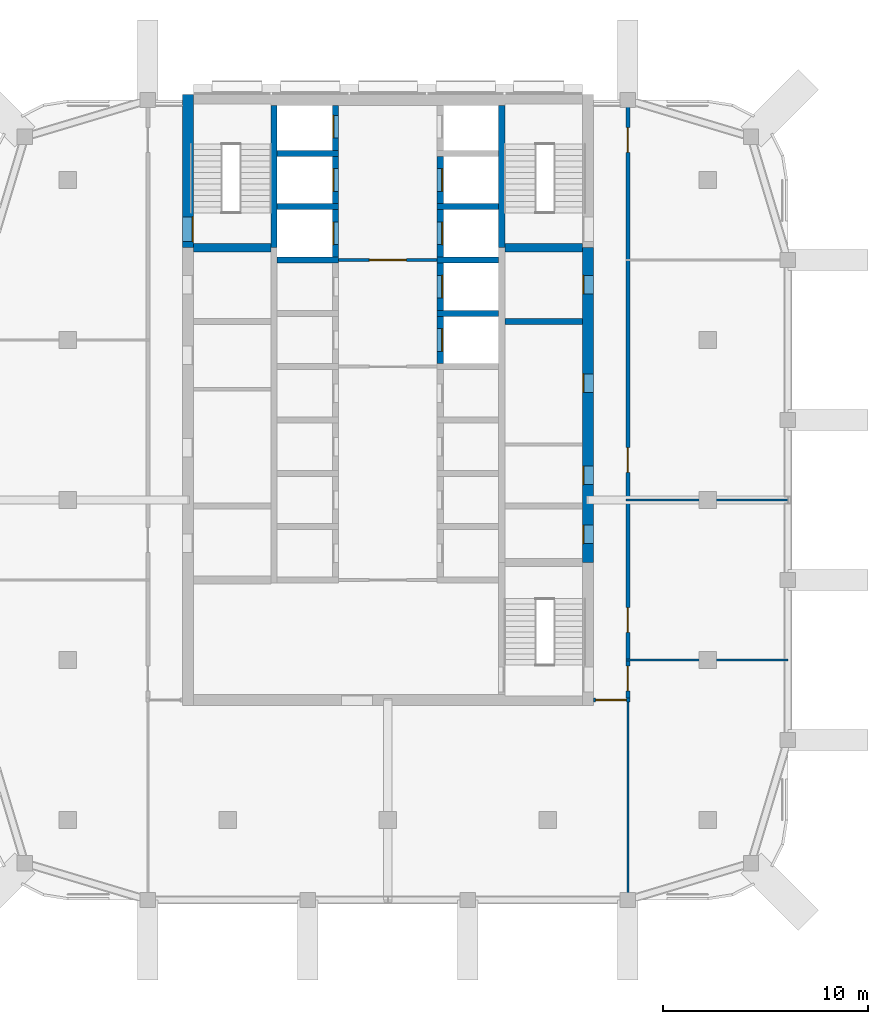
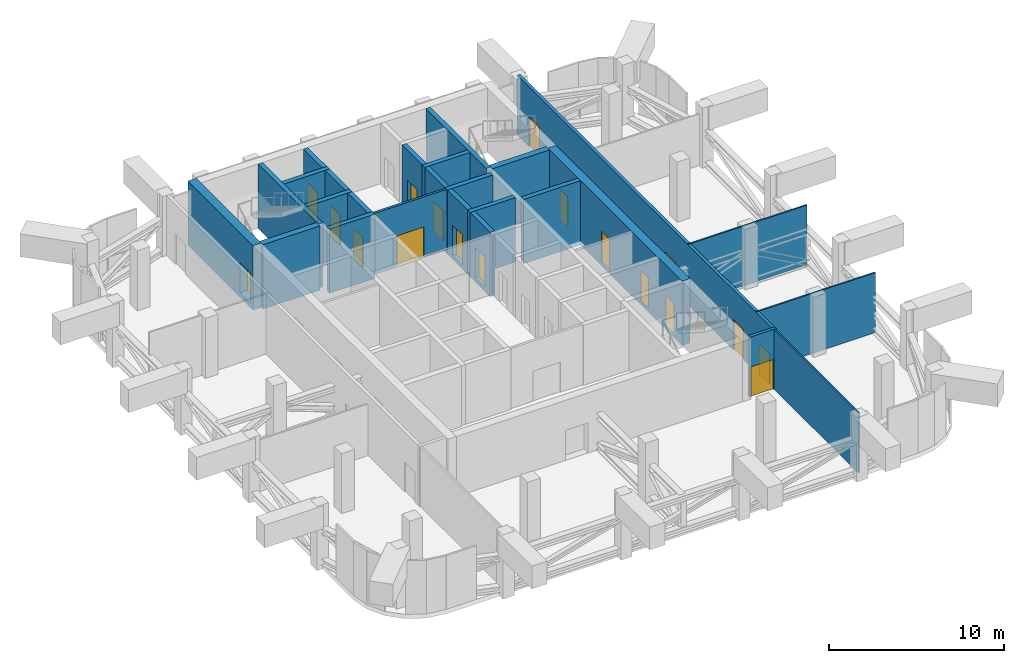
# One storey, part 7 of 13: 26 walls, 18 doors, 18 openings.
"""IFC4 building model written with IfcOpenShell, lengths in metres."""

from ifc_helpers import new_model, si_unit, direction, frame, frame_2d, origin, place, context, subcontext, project, spatial, rectangle, extrude, material, layer, layer_set, type_object, element, fill, save


model = new_model("IFC4")

# Units and contexts
model_context = context("Model", 3, precision=1e-05, world=origin(), true_north=direction((0.0, 1.0)))
body_context = subcontext(model_context, "Body", "Model", "MODEL_VIEW")
ifc_project = project(units=[si_unit("LENGTHUNIT", "METRE"), si_unit("AREAUNIT", "SQUARE_METRE"), si_unit("VOLUMEUNIT", "CUBIC_METRE"), si_unit("PLANEANGLEUNIT", "RADIAN"), si_unit("MASSUNIT", "GRAM", prefix="KILO")], contexts=[model_context])

# Site, building, storey
site_placement = place(None, origin())
site = spatial("IfcSite", under=ifc_project, at=site_placement, CompositionType="ELEMENT")
building_placement = place(site_placement, origin())
building = spatial("IfcBuilding", under=site, at=building_placement, Name="Ludao Terraces", CompositionType="ELEMENT")
storey_placement = place(building_placement, frame((0.0, 0.0, 192.800048828125)))
storey = spatial("IfcBuildingStorey", under=building, at=storey_placement, Name="L52", CompositionType="ELEMENT", Elevation=192.800048828125)

# Wall, opening, door
ifc_material_1 = material(Name="Concrete C60", Category="concrete")
ifc_layer_1 = layer(ifc_material_1, 0.550048828125)
ifc_layer_set_1 = layer_set([ifc_layer_1], Name="Core wall 550 C60")
wall_type_1 = type_object("IfcWallType", Name="Core wall 550 C60", PredefinedType="SOLIDWALL", material=ifc_layer_set_1)
wall_1_placement = place(storey_placement, frame((75.25, 77.300048828125, -0.300048828125), z_axis=(0.0, 0.0, 1.0), x_axis=(0.0, 1.0, 0.0)))
wall_1 = element("IfcWall", 1, at=wall_1_placement, inside=storey, type_object=wall_type_1, Name="Core wall L52 outer-W-S1", PredefinedType="SOLIDWALL", context=body_context, shape_type="SweptSolid", body=[
    extrude(rectangle(XDim=7.474853515625, YDim=0.550048828125, at=frame_2d((3.7373046875, 0.0))), origin(), (0.0, 0.0, 1.0), 4.5),
])
opening_1_placement = place(wall_1_placement, frame((0.300048828125, 0.0, 0.300048828125)))
opening_1 = element("IfcOpeningElement", 2, at=opening_1_placement, cuts=wall_1, Name="Opening L52-036", PredefinedType="OPENING", context=body_context, shape_type="SweptSolid", body=[
    extrude(rectangle(XDim=1.199951171875, YDim=2.10009765625, at=frame_2d((0.60009765625, 1.050048828125))), frame((0.0, 0.28515625, 0.0), z_axis=(0.0, -1.0, 0.0), x_axis=(1.0, 0.0, 0.0)), (0.0, 0.0, 1.0), 0.570068359375),
])
ifc_material_2 = material(Name="Steel Q235", Category="steel")
door_type_1 = type_object("IfcDoorType", Name="INT Stair door 1200", OperationType="DOUBLE_DOOR_SINGLE_SWING", PredefinedType="DOOR", material=ifc_material_2)
door_1_placement = place(opening_1_placement, origin())
door_1 = element("IfcDoor", 3, at=door_1_placement, inside=storey, type_object=door_type_1, Name="DOOR 036", OperationType="DOUBLE_DOOR_SINGLE_SWING", OverallHeight=2.10009765625, OverallWidth=1.199951171875, PredefinedType="DOOR", context=body_context, shape_type="SweptSolid", body=[
    extrude(rectangle(XDim=1.199951171875, YDim=2.10009765625, at=frame_2d((0.60009765625, 1.050048828125))), frame((0.0, -0.2099609375, 0.0), z_axis=(0.0, -1.0, 0.0), x_axis=(1.0, 0.0, 0.0)), (0.0, 0.0, 1.0), 0.050048828125),
])
fill(opening_1, door_1)

# Wall, openings, doors
wall_2_placement = place(storey_placement, frame((94.75, 61.949951171875, -0.300048828125), z_axis=(0.0, 0.0, 1.0), x_axis=(0.0, 1.0, 0.0)))
wall_2 = element("IfcWall", 4, at=wall_2_placement, inside=storey, type_object=wall_type_1, Name="Core wall L52 outer-E", PredefinedType="SOLIDWALL", context=body_context, shape_type="SweptSolid", body=[
    extrude(rectangle(XDim=15.35009765625, YDim=0.550048828125, at=frame_2d((7.675048828125, 0.0))), origin(), (0.0, 0.0, 1.0), 4.5),
])
opening_2_placement = place(wall_2_placement, frame((0.925048828125, 0.0, 0.300048828125)))
opening_2 = element("IfcOpeningElement", 5, at=opening_2_placement, cuts=wall_2, Name="Opening L52-014", PredefinedType="OPENING", context=body_context, shape_type="SweptSolid", body=[
    extrude(rectangle(XDim=0.89990234375, YDim=2.10009765625, at=frame_2d((0.449951171875, 1.050048828125))), frame((0.0, 0.28515625, 0.0), z_axis=(0.0, -1.0, 0.0), x_axis=(1.0, 0.0, 0.0)), (0.0, 0.0, 1.0), 0.570068359375),
])
opening_3_placement = place(wall_2_placement, frame((3.800048828125, 0.0, 0.300048828125)))
opening_3 = element("IfcOpeningElement", 6, at=opening_3_placement, cuts=wall_2, Name="Opening L52-017", PredefinedType="OPENING", context=body_context, shape_type="SweptSolid", body=[
    extrude(rectangle(XDim=0.89990234375, YDim=2.10009765625, at=frame_2d((0.449951171875, 1.050048828125))), frame((0.0, 0.28515625, 0.0), z_axis=(0.0, -1.0, 0.0), x_axis=(1.0, 0.0, 0.0)), (0.0, 0.0, 1.0), 0.570068359375),
])
opening_4_placement = place(wall_2_placement, frame((8.300048828125, 0.0, 0.300048828125)))
opening_4 = element("IfcOpeningElement", 7, at=opening_4_placement, cuts=wall_2, Name="Opening L52-024", PredefinedType="OPENING", context=body_context, shape_type="SweptSolid", body=[
    extrude(rectangle(XDim=0.89990234375, YDim=2.10009765625, at=frame_2d((0.449951171875, 1.050048828125))), frame((0.0, 0.28515625, 0.0), z_axis=(0.0, -1.0, 0.0), x_axis=(1.0, 0.0, 0.0)), (0.0, 0.0, 1.0), 0.570068359375),
])
opening_5_placement = place(wall_2_placement, frame((13.10009765625, 0.0, 0.300048828125)))
opening_5 = element("IfcOpeningElement", 8, at=opening_5_placement, cuts=wall_2, Name="Opening L52-032", PredefinedType="OPENING", context=body_context, shape_type="SweptSolid", body=[
    extrude(rectangle(XDim=0.89990234375, YDim=2.10009765625, at=frame_2d((0.449951171875, 1.050048828125))), frame((0.0, 0.28515625, 0.0), z_axis=(0.0, -1.0, 0.0), x_axis=(1.0, 0.0, 0.0)), (0.0, 0.0, 1.0), 0.570068359375),
])
door_type_2 = type_object("IfcDoorType", Name="INT Riser door 900", OperationType="SINGLE_SWING_LEFT", PredefinedType="DOOR", material=ifc_material_2)
door_2_placement = place(opening_2_placement, origin())
door_2 = element("IfcDoor", 9, at=door_2_placement, inside=storey, type_object=door_type_2, Name="DOOR 014", OperationType="SINGLE_SWING_LEFT", OverallHeight=2.10009765625, OverallWidth=0.89990234375, PredefinedType="DOOR", context=body_context, shape_type="SweptSolid", body=[
    extrude(rectangle(XDim=0.89990234375, YDim=2.10009765625, at=frame_2d((0.449951171875, 1.050048828125))), frame((0.0, 0.26025390625, 0.0), z_axis=(0.0, -1.0, 0.0), x_axis=(1.0, 0.0, 0.0)), (0.0, 0.0, 1.0), 0.050048828125),
])
fill(opening_2, door_2)
door_3_placement = place(opening_5_placement, origin())
door_3 = element("IfcDoor", 10, at=door_3_placement, inside=storey, type_object=door_type_2, Name="DOOR 032", OperationType="SINGLE_SWING_LEFT", OverallHeight=2.10009765625, OverallWidth=0.89990234375, PredefinedType="DOOR", context=body_context, shape_type="SweptSolid", body=[
    extrude(rectangle(XDim=0.89990234375, YDim=2.10009765625, at=frame_2d((0.449951171875, 1.050048828125))), frame((0.0, 0.26025390625, 0.0), z_axis=(0.0, -1.0, 0.0), x_axis=(1.0, 0.0, 0.0)), (0.0, 0.0, 1.0), 0.050048828125),
])
fill(opening_5, door_3)
ifc_material_3 = material(Name="Timber door leaf", Category="wood")
door_type_3 = type_object("IfcDoorType", Name="INT Room door 900", OperationType="SINGLE_SWING_LEFT", PredefinedType="DOOR", material=ifc_material_3)
door_4_placement = place(opening_3_placement, origin())
door_4 = element("IfcDoor", 11, at=door_4_placement, inside=storey, type_object=door_type_3, Name="DOOR 017", OperationType="SINGLE_SWING_LEFT", OverallHeight=2.10009765625, OverallWidth=0.89990234375, PredefinedType="DOOR", context=body_context, shape_type="SweptSolid", body=[
    extrude(rectangle(XDim=0.89990234375, YDim=2.10009765625, at=frame_2d((0.449951171875, 1.050048828125))), frame((0.0, 0.26025390625, 0.0), z_axis=(0.0, -1.0, 0.0), x_axis=(1.0, 0.0, 0.0)), (0.0, 0.0, 1.0), 0.050048828125),
])
fill(opening_3, door_4)
door_5_placement = place(opening_4_placement, origin())
door_5 = element("IfcDoor", 12, at=door_5_placement, inside=storey, type_object=door_type_3, Name="DOOR 024", OperationType="SINGLE_SWING_RIGHT", OverallHeight=2.10009765625, OverallWidth=0.89990234375, PredefinedType="DOOR", context=body_context, shape_type="SweptSolid", body=[
    extrude(rectangle(XDim=0.89990234375, YDim=2.10009765625, at=frame_2d((0.449951171875, 1.050048828125))), frame((0.0, 0.26025390625, 0.0), z_axis=(0.0, -1.0, 0.0), x_axis=(1.0, 0.0, 0.0)), (0.0, 0.0, 1.0), 0.050048828125),
])
fill(opening_4, door_5)

# Wall, opening, door
ifc_material_4 = material(Name="Fire-rated gypsum plasterboard", Category="gypsum")
ifc_layer_2 = layer(ifc_material_4, 0.012451171875, Category="gypsum")
ifc_material_5 = material(Name="Mineral wool")
ifc_layer_3 = layer(ifc_material_5, 0.10009765625, Name="insulation")
ifc_layer_4 = layer(ifc_material_2, 0.02490234375, Name="stud")
ifc_layer_5 = layer(ifc_material_4, 0.012451171875, Category="gypsum")
ifc_layer_set_2 = layer_set([ifc_layer_2, ifc_layer_3, ifc_layer_4, ifc_layer_5], Name="INT Core partition 150")
wall_type_2 = type_object("IfcWallType", Name="INT Core partition 150", PredefinedType="PARTITIONING", material=ifc_layer_set_2)
wall_3_placement = place(storey_placement, frame((82.60009765625, 76.699951171875, 0.0), z_axis=(0.0, 0.0, 1.0), x_axis=(1.0, 0.0, 0.0)))
wall_3 = element("IfcWall", 13, at=wall_3_placement, inside=storey, type_object=wall_type_2, Name="PW-L52-PW010", PredefinedType="PARTITIONING", context=body_context, shape_type="SweptSolid", body=[
    extrude(rectangle(XDim=4.800048828125, YDim=0.14990234375, at=frame_2d((2.39990234375, 0.0))), origin(), (0.0, 0.0, 1.0), 4.199951171875),
])
opening_6_placement = place(wall_3_placement, frame((1.5, 0.0, 0.0)))
opening_6 = element("IfcOpeningElement", 14, at=opening_6_placement, cuts=wall_3, Name="Opening L52-033", PredefinedType="OPENING", context=body_context, shape_type="SweptSolid", body=[
    extrude(rectangle(XDim=1.800048828125, YDim=2.10009765625, at=frame_2d((0.89990234375, 1.050048828125))), frame((0.0, 0.0849609375, 0.0), z_axis=(0.0, -1.0, 0.0), x_axis=(1.0, 0.0, 0.0)), (0.0, 0.0, 1.0), 0.169921875),
])
door_type_4 = type_object("IfcDoorType", Name="INT Fire lobby door 1800", OperationType="DOUBLE_DOOR_SINGLE_SWING", PredefinedType="DOOR", material=ifc_material_2)
door_6_placement = place(opening_6_placement, origin())
door_6 = element("IfcDoor", 15, at=door_6_placement, inside=storey, type_object=door_type_4, Name="DOOR 033", OperationType="DOUBLE_DOOR_SINGLE_SWING", OverallHeight=2.10009765625, OverallWidth=1.800048828125, PredefinedType="DOOR", context=body_context, shape_type="SweptSolid", body=[
    extrude(rectangle(XDim=1.800048828125, YDim=2.10009765625, at=frame_2d((0.89990234375, 1.050048828125))), frame((0.0, 0.02490234375, 0.0), z_axis=(0.0, -1.0, 0.0), x_axis=(1.0, 0.0, 0.0)), (0.0, 0.0, 1.0), 0.050048828125),
])
fill(opening_6, door_6)

ifc_material_6 = material(Name="Autoclaved aerated concrete block B06 A3.5", Category="concrete")
ifc_layer_6 = layer(ifc_material_6, 0.199951171875)
ifc_layer_set_3 = layer_set([ifc_layer_6], Name="INT Entrance wall 200")
wall_type_3 = type_object("IfcWallType", Name="INT Entrance wall 200", PredefinedType="PARTITIONING", material=ifc_layer_set_3)
wall_4_placement = place(storey_placement, frame((95.025146484375, 55.25, 0.0), z_axis=(0.0, 0.0, 1.0), x_axis=(1.0, 0.0, 0.0)))
wall_4 = element("IfcWall", 16, at=wall_4_placement, inside=storey, type_object=wall_type_3, Name="PW-L52-PW001", PredefinedType="PARTITIONING", context=body_context, shape_type="SweptSolid", body=[
    extrude(rectangle(XDim=1.77490234375, YDim=0.199951171875, at=frame_2d((0.887451171875, 0.0))), origin(), (0.0, 0.0, 1.0), 4.199951171875),
])
opening_7_placement = place(wall_4_placement, frame((0.10009765625, 0.0, 0.0)))
opening_7 = element("IfcOpeningElement", 17, at=opening_7_placement, cuts=wall_4, Name="Opening L52-003", PredefinedType="OPENING", context=body_context, shape_type="SweptSolid", body=[
    extrude(rectangle(XDim=1.5, YDim=2.10009765625, at=frame_2d((0.75, 1.050048828125))), frame((0.0, 0.10986328125, 0.0), z_axis=(0.0, -1.0, 0.0), x_axis=(1.0, 0.0, 0.0)), (0.0, 0.0, 1.0), 0.219970703125),
])
door_type_5 = type_object("IfcDoorType", Name="INT Lobby door 1500", OperationType="DOUBLE_DOOR_SINGLE_SWING", PredefinedType="DOOR", material=ifc_material_2)
door_7_placement = place(opening_7_placement, origin())
door_7 = element("IfcDoor", 18, at=door_7_placement, inside=storey, type_object=door_type_5, Name="DOOR 003", OperationType="DOUBLE_DOOR_SINGLE_SWING", OverallHeight=2.10009765625, OverallWidth=1.5, PredefinedType="DOOR", context=body_context, shape_type="SweptSolid", body=[
    extrude(rectangle(XDim=1.5, YDim=2.10009765625, at=frame_2d((0.75, 1.050048828125))), frame((0.0, 0.02490234375, 0.0), z_axis=(0.0, -1.0, 0.0), x_axis=(1.0, 0.0, 0.0)), (0.0, 0.0, 1.0), 0.050048828125),
])
fill(opening_7, door_7)

# Wall, openings, doors
wall_5_placement = place(storey_placement, frame((96.699951171875, 55.35009765625, 0.0), z_axis=(0.0, 0.0, 1.0), x_axis=(0.0, 1.0, 0.0)))
wall_5 = element("IfcWall", 19, at=wall_5_placement, inside=storey, type_object=wall_type_3, Name="PW-L52-PW015", PredefinedType="PARTITIONING", context=body_context, shape_type="SweptSolid", body=[
    extrude(rectangle(XDim=29.14990234375, YDim=0.199951171875, at=frame_2d((14.574951171875, 0.0))), origin(), (0.0, 0.0, 1.0), 4.199951171875),
])
opening_8_placement = place(wall_5_placement, frame((0.35009765625, 0.0, 0.0)))
opening_8 = element("IfcOpeningElement", 20, at=opening_8_placement, cuts=wall_5, Name="Opening L52-007", PredefinedType="OPENING", context=body_context, shape_type="SweptSolid", body=[
    extrude(rectangle(XDim=1.199951171875, YDim=2.10009765625, at=frame_2d((0.60009765625, 1.050048828125))), frame((0.0, 0.10986328125, 0.0), z_axis=(0.0, -1.0, 0.0), x_axis=(1.0, 0.0, 0.0)), (0.0, 0.0, 1.0), 0.219970703125),
])
opening_9_placement = place(wall_5_placement, frame((3.199951171875, 0.0, 0.0)))
opening_9 = element("IfcOpeningElement", 21, at=opening_9_placement, cuts=wall_5, Name="Opening L52-008", PredefinedType="OPENING", context=body_context, shape_type="SweptSolid", body=[
    extrude(rectangle(XDim=1.199951171875, YDim=2.10009765625, at=frame_2d((0.60009765625, 1.050048828125))), frame((0.0, 0.10986328125, 0.0), z_axis=(0.0, -1.0, 0.0), x_axis=(1.0, 0.0, 0.0)), (0.0, 0.0, 1.0), 0.219970703125),
])
opening_10_placement = place(wall_5_placement, frame((11.0, 0.0, 0.0)))
opening_10 = element("IfcOpeningElement", 22, at=opening_10_placement, cuts=wall_5, Name="Opening L52-018", PredefinedType="OPENING", context=body_context, shape_type="SweptSolid", body=[
    extrude(rectangle(XDim=1.199951171875, YDim=2.10009765625, at=frame_2d((0.60009765625, 1.050048828125))), frame((0.0, 0.10986328125, 0.0), z_axis=(0.0, -1.0, 0.0), x_axis=(1.0, 0.0, 0.0)), (0.0, 0.0, 1.0), 0.219970703125),
])
opening_11_placement = place(wall_5_placement, frame((26.60009765625, 0.0, 0.0)))
opening_11 = element("IfcOpeningElement", 23, at=opening_11_placement, cuts=wall_5, Name="Opening L52-041", PredefinedType="OPENING", context=body_context, shape_type="SweptSolid", body=[
    extrude(rectangle(XDim=1.199951171875, YDim=2.10009765625, at=frame_2d((0.60009765625, 1.050048828125))), frame((0.0, 0.10986328125, 0.0), z_axis=(0.0, -1.0, 0.0), x_axis=(1.0, 0.0, 0.0)), (0.0, 0.0, 1.0), 0.219970703125),
])
door_type_6 = type_object("IfcDoorType", Name="INT Double door 1200", OperationType="DOUBLE_DOOR_SINGLE_SWING", PredefinedType="DOOR", material=ifc_material_3)
door_8_placement = place(opening_8_placement, origin())
door_8 = element("IfcDoor", 24, at=door_8_placement, inside=storey, type_object=door_type_6, Name="DOOR 007", OperationType="DOUBLE_DOOR_SINGLE_SWING", OverallHeight=2.10009765625, OverallWidth=1.199951171875, PredefinedType="DOOR", context=body_context, shape_type="SweptSolid", body=[
    extrude(rectangle(XDim=1.199951171875, YDim=2.10009765625, at=frame_2d((0.60009765625, 1.050048828125))), frame((0.0, 0.02490234375, 0.0), z_axis=(0.0, -1.0, 0.0), x_axis=(1.0, 0.0, 0.0)), (0.0, 0.0, 1.0), 0.050048828125),
])
fill(opening_8, door_8)
door_9_placement = place(opening_9_placement, origin())
door_9 = element("IfcDoor", 25, at=door_9_placement, inside=storey, type_object=door_type_6, Name="DOOR 008", OperationType="DOUBLE_DOOR_SINGLE_SWING", OverallHeight=2.10009765625, OverallWidth=1.199951171875, PredefinedType="DOOR", context=body_context, shape_type="SweptSolid", body=[
    extrude(rectangle(XDim=1.199951171875, YDim=2.10009765625, at=frame_2d((0.60009765625, 1.050048828125))), frame((0.0, 0.02490234375, 0.0), z_axis=(0.0, -1.0, 0.0), x_axis=(1.0, 0.0, 0.0)), (0.0, 0.0, 1.0), 0.050048828125),
])
fill(opening_9, door_9)
door_10_placement = place(opening_10_placement, origin())
door_10 = element("IfcDoor", 26, at=door_10_placement, inside=storey, type_object=door_type_6, Name="DOOR 018", OperationType="DOUBLE_DOOR_SINGLE_SWING", OverallHeight=2.10009765625, OverallWidth=1.199951171875, PredefinedType="DOOR", context=body_context, shape_type="SweptSolid", body=[
    extrude(rectangle(XDim=1.199951171875, YDim=2.10009765625, at=frame_2d((0.60009765625, 1.050048828125))), frame((0.0, 0.02490234375, 0.0), z_axis=(0.0, -1.0, 0.0), x_axis=(1.0, 0.0, 0.0)), (0.0, 0.0, 1.0), 0.050048828125),
])
fill(opening_10, door_10)
door_11_placement = place(opening_11_placement, origin())
door_11 = element("IfcDoor", 27, at=door_11_placement, inside=storey, type_object=door_type_6, Name="DOOR 041", OperationType="DOUBLE_DOOR_SINGLE_SWING", OverallHeight=2.10009765625, OverallWidth=1.199951171875, PredefinedType="DOOR", context=body_context, shape_type="SweptSolid", body=[
    extrude(rectangle(XDim=1.199951171875, YDim=2.10009765625, at=frame_2d((0.60009765625, 1.050048828125))), frame((0.0, 0.02490234375, 0.0), z_axis=(0.0, -1.0, 0.0), x_axis=(1.0, 0.0, 0.0)), (0.0, 0.0, 1.0), 0.050048828125),
])
fill(opening_11, door_11)

# Walls
ifc_material_7 = material(Name="Gypsum plasterboard", Category="gypsum")
ifc_layer_7 = layer(ifc_material_7, 0.012451171875, Category="gypsum")
ifc_layer_8 = layer(ifc_material_5, 0.06005859375, Name="insulation")
ifc_layer_9 = layer(ifc_material_2, 0.014892578125, Name="stud")
ifc_layer_10 = layer(ifc_material_7, 0.012451171875, Category="gypsum")
ifc_layer_set_4 = layer_set([ifc_layer_7, ifc_layer_8, ifc_layer_9, ifc_layer_10], Name="INT Partition 100")
wall_type_4 = type_object("IfcWallType", Name="INT Partition 100", PredefinedType="PARTITIONING", material=ifc_layer_set_4)
for number, where, z_axis, x_axis, name in (
    (28, (96.60009765625, 57.199951171875, 0.0), (0.0, 0.0, 1.0), (1.0, 0.0, 0.0), "PW-L52-PW002"),
    (29, (96.60009765625, 65.0, 0.0), (0.0, 0.0, 1.0), (1.0, 0.0, 0.0), "PW-L52-PW005"),
):
    element("IfcWall", number, at=place(storey_placement, frame(where, z_axis=z_axis, x_axis=x_axis)), inside=storey, type_object=wall_type_4, Name=name, PredefinedType="PARTITIONING", context=body_context, shape_type="SweptSolid", body=[
        extrude(rectangle(XDim=7.89990234375, YDim=0.10009765625, at=frame_2d((3.949951171875, 0.0))), origin(), (0.0, 0.0, 1.0), 4.199951171875),
    ])
wall_6_placement = place(storey_placement, frame((96.699951171875, 45.5, 0.0), z_axis=(0.0, 0.0, 1.0), x_axis=(0.0, 1.0, 0.0)))
element("IfcWall", 30, at=wall_6_placement, inside=storey, type_object=wall_type_4, Name="PW-L52-PW014", PredefinedType="PARTITIONING", context=body_context, shape_type="SweptSolid", body=[
    extrude(rectangle(XDim=9.650146484375, YDim=0.10009765625, at=frame_2d((4.8251953125, 0.0))), origin(), (0.0, 0.0, 1.0), 4.199951171875),
])
ifc_material_8 = material(Name="Concrete C55", Category="concrete")
ifc_layer_11 = layer(ifc_material_8, 0.300048828125)
ifc_layer_set_5 = layer_set([ifc_layer_11], Name="Shaft wall 300 C55")
wall_type_5 = type_object("IfcWallType", Name="Shaft wall 300 C55", PredefinedType="SOLIDWALL", material=ifc_layer_set_5)
for number, where, z_axis, x_axis, name in (
    (31, (79.449951171875, 77.300048828125, -0.300048828125), (0.0, 0.0, 1.0), (0.0, 1.0, 0.0), "Core wall L52 back-W-S1"),
    (32, (90.550048828125, 77.300048828125, -0.300048828125), (0.0, 0.0, 1.0), (0.0, 1.0, 0.0), "Core wall L52 back-E-S2"),
):
    element("IfcWall", number, at=place(storey_placement, frame(where, z_axis=z_axis, x_axis=x_axis)), inside=storey, type_object=wall_type_5, Name=name, PredefinedType="SOLIDWALL", context=body_context, shape_type="SweptSolid", body=[
        extrude(rectangle(XDim=6.925048828125, YDim=0.300048828125, at=frame_2d((3.46240234375, 0.0))), origin(), (0.0, 0.0, 1.0), 4.5),
    ])
wall_7_placement = place(storey_placement, frame((79.60009765625, 76.699951171875, -0.300048828125), z_axis=(0.0, 0.0, 1.0), x_axis=(1.0, 0.0, 0.0)))
element("IfcWall", 33, at=wall_7_placement, inside=storey, type_object=wall_type_5, Name="Core wall L52 div-W7", PredefinedType="SOLIDWALL", context=body_context, shape_type="SweptSolid", body=[
    extrude(rectangle(XDim=3.0, YDim=0.300048828125, at=frame_2d((1.5, 0.0))), origin(), (0.0, 0.0, 1.0), 4.5),
])

# Wall, opening, door
wall_8_placement = place(storey_placement, frame((82.449951171875, 76.85009765625, -0.300048828125), z_axis=(0.0, 0.0, 1.0), x_axis=(0.0, 1.0, 0.0)))
wall_8 = element("IfcWall", 34, at=wall_8_placement, inside=storey, type_object=wall_type_5, Name="Core wall L52 front-W7", PredefinedType="SOLIDWALL", context=body_context, shape_type="SweptSolid", body=[
    extrude(rectangle(XDim=2.2998046875, YDim=0.300048828125, at=frame_2d((1.14990234375, 0.0))), origin(), (0.0, 0.0, 1.0), 4.5),
])
opening_12_placement = place(wall_8_placement, frame((0.60009765625, 0.0, 0.300048828125)))
opening_12 = element("IfcOpeningElement", 35, at=opening_12_placement, cuts=wall_8, Name="Opening LD-FF1", PredefinedType="OPENING", context=body_context, shape_type="SweptSolid", body=[
    extrude(rectangle(XDim=1.10009765625, YDim=2.10009765625, at=frame_2d((0.550048828125, 1.050048828125))), frame((0.0, 0.16015625, 0.0), z_axis=(0.0, -1.0, 0.0), x_axis=(1.0, 0.0, 0.0)), (0.0, 0.0, 1.0), 0.320068359375),
])
ifc_material_9 = material(Name="Stainless steel 304", Category="steel")
door_type_7 = type_object("IfcDoorType", Name="INT Lift landing door 1100", OperationType="SLIDING_TO_LEFT", PredefinedType="DOOR", material=ifc_material_9)
door_12_placement = place(opening_12_placement, origin())
door_12 = element("IfcDoor", 36, at=door_12_placement, inside=storey, type_object=door_type_7, Name="LANDING DOOR FF1 L52", OperationType="SLIDING_TO_LEFT", OverallHeight=2.10009765625, OverallWidth=1.10009765625, PredefinedType="DOOR", context=body_context, shape_type="SweptSolid", body=[
    extrude(rectangle(XDim=1.10009765625, YDim=2.10009765625, at=frame_2d((0.550048828125, 1.050048828125))), frame((0.0, 0.13525390625, 0.0), z_axis=(0.0, -1.0, 0.0), x_axis=(1.0, 0.0, 0.0)), (0.0, 0.0, 1.0), 0.050048828125),
])
fill(opening_12, door_12)

# Wall
wall_9_placement = place(storey_placement, frame((79.60009765625, 79.300048828125, -0.300048828125), z_axis=(0.0, 0.0, 1.0), x_axis=(1.0, 0.0, 0.0)))
element("IfcWall", 37, at=wall_9_placement, inside=storey, type_object=wall_type_5, Name="Core wall L52 div-W8", PredefinedType="SOLIDWALL", context=body_context, shape_type="SweptSolid", body=[
    extrude(rectangle(XDim=3.0, YDim=0.300048828125, at=frame_2d((1.5, 0.0))), origin(), (0.0, 0.0, 1.0), 4.5),
])

# Wall, opening, door
wall_10_placement = place(storey_placement, frame((82.449951171875, 79.449951171875, -0.300048828125), z_axis=(0.0, 0.0, 1.0), x_axis=(0.0, 1.0, 0.0)))
wall_10 = element("IfcWall", 38, at=wall_10_placement, inside=storey, type_object=wall_type_5, Name="Core wall L52 front-W8", PredefinedType="SOLIDWALL", context=body_context, shape_type="SweptSolid", body=[
    extrude(rectangle(XDim=2.300048828125, YDim=0.300048828125, at=frame_2d((1.14990234375, 0.0))), origin(), (0.0, 0.0, 1.0), 4.5),
])
opening_13_placement = place(wall_10_placement, frame((0.60009765625, 0.0, 0.300048828125)))
opening_13 = element("IfcOpeningElement", 39, at=opening_13_placement, cuts=wall_10, Name="Opening LD-FF2", PredefinedType="OPENING", context=body_context, shape_type="SweptSolid", body=[
    extrude(rectangle(XDim=1.10009765625, YDim=2.10009765625, at=frame_2d((0.550048828125, 1.050048828125))), frame((0.0, 0.16015625, 0.0), z_axis=(0.0, -1.0, 0.0), x_axis=(1.0, 0.0, 0.0)), (0.0, 0.0, 1.0), 0.320068359375),
])
door_13_placement = place(opening_13_placement, origin())
door_13 = element("IfcDoor", 40, at=door_13_placement, inside=storey, type_object=door_type_7, Name="LANDING DOOR FF2 L52", OperationType="SLIDING_TO_LEFT", OverallHeight=2.10009765625, OverallWidth=1.10009765625, PredefinedType="DOOR", context=body_context, shape_type="SweptSolid", body=[
    extrude(rectangle(XDim=1.10009765625, YDim=2.10009765625, at=frame_2d((0.550048828125, 1.050048828125))), frame((0.0, 0.13525390625, 0.0), z_axis=(0.0, -1.0, 0.0), x_axis=(1.0, 0.0, 0.0)), (0.0, 0.0, 1.0), 0.050048828125),
])
fill(opening_13, door_13)

# Wall
wall_11_placement = place(storey_placement, frame((79.60009765625, 81.89990234375, -0.300048828125), z_axis=(0.0, 0.0, 1.0), x_axis=(1.0, 0.0, 0.0)))
element("IfcWall", 41, at=wall_11_placement, inside=storey, type_object=wall_type_5, Name="Core wall L52 div-W9", PredefinedType="SOLIDWALL", context=body_context, shape_type="SweptSolid", body=[
    extrude(rectangle(XDim=3.0, YDim=0.300048828125, at=frame_2d((1.5, 0.0))), origin(), (0.0, 0.0, 1.0), 4.5),
])

# Wall, opening, door
wall_12_placement = place(storey_placement, frame((82.449951171875, 82.050048828125, -0.300048828125), z_axis=(0.0, 0.0, 1.0), x_axis=(0.0, 1.0, 0.0)))
wall_12 = element("IfcWall", 42, at=wall_12_placement, inside=storey, type_object=wall_type_5, Name="Core wall L52 front-W9", PredefinedType="SOLIDWALL", context=body_context, shape_type="SweptSolid", body=[
    extrude(rectangle(XDim=2.175048828125, YDim=0.300048828125, at=frame_2d((1.08740234375, 0.0))), origin(), (0.0, 0.0, 1.0), 4.5),
])
opening_14_placement = place(wall_12_placement, frame((0.60009765625, 0.0, 0.300048828125)))
opening_14 = element("IfcOpeningElement", 43, at=opening_14_placement, cuts=wall_12, Name="Opening LD-LB6", PredefinedType="OPENING", context=body_context, shape_type="SweptSolid", body=[
    extrude(rectangle(XDim=1.10009765625, YDim=2.10009765625, at=frame_2d((0.550048828125, 1.050048828125))), frame((0.0, 0.16015625, 0.0), z_axis=(0.0, -1.0, 0.0), x_axis=(1.0, 0.0, 0.0)), (0.0, 0.0, 1.0), 0.320068359375),
])
door_14_placement = place(opening_14_placement, origin())
door_14 = element("IfcDoor", 44, at=door_14_placement, inside=storey, type_object=door_type_7, Name="LANDING DOOR LB6 L52", OperationType="SLIDING_TO_RIGHT", OverallHeight=2.10009765625, OverallWidth=1.10009765625, PredefinedType="DOOR", context=body_context, shape_type="SweptSolid", body=[
    extrude(rectangle(XDim=1.10009765625, YDim=2.10009765625, at=frame_2d((0.550048828125, 1.050048828125))), frame((0.0, 0.13525390625, 0.0), z_axis=(0.0, -1.0, 0.0), x_axis=(1.0, 0.0, 0.0)), (0.0, 0.0, 1.0), 0.050048828125),
])
fill(opening_14, door_14)

wall_13_placement = place(storey_placement, frame((87.550048828125, 71.64990234375, -0.300048828125), z_axis=(0.0, 0.0, 1.0), x_axis=(0.0, 1.0, 0.0)))
wall_13 = element("IfcWall", 45, at=wall_13_placement, inside=storey, type_object=wall_type_5, Name="Core wall L52 front-E5", PredefinedType="SOLIDWALL", context=body_context, shape_type="SweptSolid", body=[
    extrude(rectangle(XDim=2.300048828125, YDim=0.300048828125, at=frame_2d((1.14990234375, 0.0))), origin(), (0.0, 0.0, 1.0), 4.5),
])
opening_15_placement = place(wall_13_placement, frame((0.60009765625, 0.0, 0.300048828125)))
opening_15 = element("IfcOpeningElement", 46, at=opening_15_placement, cuts=wall_13, Name="Opening LD-LB1", PredefinedType="OPENING", context=body_context, shape_type="SweptSolid", body=[
    extrude(rectangle(XDim=1.10009765625, YDim=2.10009765625, at=frame_2d((0.550048828125, 1.050048828125))), frame((0.0, 0.16015625, 0.0), z_axis=(0.0, -1.0, 0.0), x_axis=(1.0, 0.0, 0.0)), (0.0, 0.0, 1.0), 0.320068359375),
])
door_15_placement = place(opening_15_placement, origin())
door_15 = element("IfcDoor", 47, at=door_15_placement, inside=storey, type_object=door_type_7, Name="LANDING DOOR LB1 L52", OperationType="SLIDING_TO_LEFT", OverallHeight=2.10009765625, OverallWidth=1.10009765625, PredefinedType="DOOR", context=body_context, shape_type="SweptSolid", body=[
    extrude(rectangle(XDim=1.10009765625, YDim=2.10009765625, at=frame_2d((0.550048828125, 1.050048828125))), frame((0.0, -0.0849609375, 0.0), z_axis=(0.0, -1.0, 0.0), x_axis=(1.0, 0.0, 0.0)), (0.0, 0.0, 1.0), 0.050048828125),
])
fill(opening_15, door_15)

# Wall
wall_14_placement = place(storey_placement, frame((87.39990234375, 74.10009765625, -0.300048828125), z_axis=(0.0, 0.0, 1.0), x_axis=(1.0, 0.0, 0.0)))
element("IfcWall", 48, at=wall_14_placement, inside=storey, type_object=wall_type_5, Name="Core wall L52 div-E6", PredefinedType="SOLIDWALL", context=body_context, shape_type="SweptSolid", body=[
    extrude(rectangle(XDim=3.0, YDim=0.300048828125, at=frame_2d((1.5, 0.0))), origin(), (0.0, 0.0, 1.0), 4.5),
])

# Wall, opening, door
wall_15_placement = place(storey_placement, frame((87.550048828125, 74.25, -0.300048828125), z_axis=(0.0, 0.0, 1.0), x_axis=(0.0, 1.0, 0.0)))
wall_15 = element("IfcWall", 49, at=wall_15_placement, inside=storey, type_object=wall_type_5, Name="Core wall L52 front-E6", PredefinedType="SOLIDWALL", context=body_context, shape_type="SweptSolid", body=[
    extrude(rectangle(XDim=2.300048828125, YDim=0.300048828125, at=frame_2d((1.14990234375, 0.0))), origin(), (0.0, 0.0, 1.0), 4.5),
])
opening_16_placement = place(wall_15_placement, frame((0.60009765625, 0.0, 0.300048828125)))
opening_16 = element("IfcOpeningElement", 50, at=opening_16_placement, cuts=wall_15, Name="Opening LD-LB2", PredefinedType="OPENING", context=body_context, shape_type="SweptSolid", body=[
    extrude(rectangle(XDim=1.10009765625, YDim=2.10009765625, at=frame_2d((0.550048828125, 1.050048828125))), frame((0.0, 0.16015625, 0.0), z_axis=(0.0, -1.0, 0.0), x_axis=(1.0, 0.0, 0.0)), (0.0, 0.0, 1.0), 0.320068359375),
])
door_16_placement = place(opening_16_placement, origin())
door_16 = element("IfcDoor", 51, at=door_16_placement, inside=storey, type_object=door_type_7, Name="LANDING DOOR LB2 L52", OperationType="SLIDING_TO_LEFT", OverallHeight=2.10009765625, OverallWidth=1.10009765625, PredefinedType="DOOR", context=body_context, shape_type="SweptSolid", body=[
    extrude(rectangle(XDim=1.10009765625, YDim=2.10009765625, at=frame_2d((0.550048828125, 1.050048828125))), frame((0.0, -0.0849609375, 0.0), z_axis=(0.0, -1.0, 0.0), x_axis=(1.0, 0.0, 0.0)), (0.0, 0.0, 1.0), 0.050048828125),
])
fill(opening_16, door_16)

# Wall
wall_16_placement = place(storey_placement, frame((87.39990234375, 76.699951171875, -0.300048828125), z_axis=(0.0, 0.0, 1.0), x_axis=(1.0, 0.0, 0.0)))
element("IfcWall", 52, at=wall_16_placement, inside=storey, type_object=wall_type_5, Name="Core wall L52 div-E7", PredefinedType="SOLIDWALL", context=body_context, shape_type="SweptSolid", body=[
    extrude(rectangle(XDim=3.0, YDim=0.300048828125, at=frame_2d((1.5, 0.0))), origin(), (0.0, 0.0, 1.0), 4.5),
])

# Wall, opening, door
wall_17_placement = place(storey_placement, frame((87.550048828125, 76.85009765625, -0.300048828125), z_axis=(0.0, 0.0, 1.0), x_axis=(0.0, 1.0, 0.0)))
wall_17 = element("IfcWall", 53, at=wall_17_placement, inside=storey, type_object=wall_type_5, Name="Core wall L52 front-E7", PredefinedType="SOLIDWALL", context=body_context, shape_type="SweptSolid", body=[
    extrude(rectangle(XDim=2.2998046875, YDim=0.300048828125, at=frame_2d((1.14990234375, 0.0))), origin(), (0.0, 0.0, 1.0), 4.5),
])
opening_17_placement = place(wall_17_placement, frame((0.60009765625, 0.0, 0.300048828125)))
opening_17 = element("IfcOpeningElement", 54, at=opening_17_placement, cuts=wall_17, Name="Opening LD-LB3", PredefinedType="OPENING", context=body_context, shape_type="SweptSolid", body=[
    extrude(rectangle(XDim=1.10009765625, YDim=2.10009765625, at=frame_2d((0.550048828125, 1.050048828125))), frame((0.0, 0.16015625, 0.0), z_axis=(0.0, -1.0, 0.0), x_axis=(1.0, 0.0, 0.0)), (0.0, 0.0, 1.0), 0.320068359375),
])
door_17_placement = place(opening_17_placement, origin())
door_17 = element("IfcDoor", 55, at=door_17_placement, inside=storey, type_object=door_type_7, Name="LANDING DOOR LB3 L52", OperationType="SLIDING_TO_LEFT", OverallHeight=2.10009765625, OverallWidth=1.10009765625, PredefinedType="DOOR", context=body_context, shape_type="SweptSolid", body=[
    extrude(rectangle(XDim=1.10009765625, YDim=2.10009765625, at=frame_2d((0.550048828125, 1.050048828125))), frame((0.0, -0.0849609375, 0.0), z_axis=(0.0, -1.0, 0.0), x_axis=(1.0, 0.0, 0.0)), (0.0, 0.0, 1.0), 0.050048828125),
])
fill(opening_17, door_17)

# Wall
wall_18_placement = place(storey_placement, frame((87.39990234375, 79.300048828125, -0.300048828125), z_axis=(0.0, 0.0, 1.0), x_axis=(1.0, 0.0, 0.0)))
element("IfcWall", 56, at=wall_18_placement, inside=storey, type_object=wall_type_5, Name="Core wall L52 div-E8", PredefinedType="SOLIDWALL", context=body_context, shape_type="SweptSolid", body=[
    extrude(rectangle(XDim=3.0, YDim=0.300048828125, at=frame_2d((1.5, 0.0))), origin(), (0.0, 0.0, 1.0), 4.5),
])

# Wall, opening, door
wall_19_placement = place(storey_placement, frame((87.550048828125, 79.449951171875, -0.300048828125), z_axis=(0.0, 0.0, 1.0), x_axis=(0.0, 1.0, 0.0)))
wall_19 = element("IfcWall", 57, at=wall_19_placement, inside=storey, type_object=wall_type_5, Name="Core wall L52 front-E8", PredefinedType="SOLIDWALL", context=body_context, shape_type="SweptSolid", body=[
    extrude(rectangle(XDim=2.300048828125, YDim=0.300048828125, at=frame_2d((1.14990234375, 0.0))), origin(), (0.0, 0.0, 1.0), 4.5),
])
opening_18_placement = place(wall_19_placement, frame((0.60009765625, 0.0, 0.300048828125)))
opening_18 = element("IfcOpeningElement", 58, at=opening_18_placement, cuts=wall_19, Name="Opening LD-LB4", PredefinedType="OPENING", context=body_context, shape_type="SweptSolid", body=[
    extrude(rectangle(XDim=1.10009765625, YDim=2.10009765625, at=frame_2d((0.550048828125, 1.050048828125))), frame((0.0, 0.16015625, 0.0), z_axis=(0.0, -1.0, 0.0), x_axis=(1.0, 0.0, 0.0)), (0.0, 0.0, 1.0), 0.320068359375),
])
door_18_placement = place(opening_18_placement, origin())
door_18 = element("IfcDoor", 59, at=door_18_placement, inside=storey, type_object=door_type_7, Name="LANDING DOOR LB4 L52", OperationType="SLIDING_TO_RIGHT", OverallHeight=2.10009765625, OverallWidth=1.10009765625, PredefinedType="DOOR", context=body_context, shape_type="SweptSolid", body=[
    extrude(rectangle(XDim=1.10009765625, YDim=2.10009765625, at=frame_2d((0.550048828125, 1.050048828125))), frame((0.0, -0.0849609375, 0.0), z_axis=(0.0, -1.0, 0.0), x_axis=(1.0, 0.0, 0.0)), (0.0, 0.0, 1.0), 0.050048828125),
])
fill(opening_18, door_18)

# Walls
wall_20_placement = place(storey_placement, frame((90.699951171875, 73.699951171875, -0.300048828125), z_axis=(0.0, 0.0, 1.0), x_axis=(1.0, 0.0, 0.0)))
element("IfcWall", 60, at=wall_20_placement, inside=storey, type_object=wall_type_5, Name="Core wall L52 riser-b-E", PredefinedType="SOLIDWALL", context=body_context, shape_type="SweptSolid", body=[
    extrude(rectangle(XDim=3.775146484375, YDim=0.300048828125, at=frame_2d((1.8876953125, 0.0))), origin(), (0.0, 0.0, 1.0), 4.5),
])
ifc_layer_12 = layer(ifc_material_8, 0.39990234375)
ifc_layer_set_6 = layer_set([ifc_layer_12], Name="Shaft wall 400 C55")
wall_type_6 = type_object("IfcWallType", Name="Shaft wall 400 C55", PredefinedType="SOLIDWALL", material=ifc_layer_set_6)
for number, where, z_axis, x_axis, name in (
    (61, (75.52490234375, 77.300048828125, -0.300048828125), (0.0, 0.0, 1.0), (1.0, 0.0, 0.0), "Core wall L52 stair-W"),
    (62, (90.699951171875, 77.300048828125, -0.300048828125), (0.0, 0.0, 1.0), (1.0, 0.0, 0.0), "Core wall L52 stair-E"),
):
    element("IfcWall", number, at=place(storey_placement, frame(where, z_axis=z_axis, x_axis=x_axis)), inside=storey, type_object=wall_type_6, Name=name, PredefinedType="SOLIDWALL", context=body_context, shape_type="SweptSolid", body=[
        extrude(rectangle(XDim=3.775146484375, YDim=0.39990234375, at=frame_2d((1.8876953125, 0.0))), origin(), (0.0, 0.0, 1.0), 4.5),
    ])

save(model, "model.ifc")
